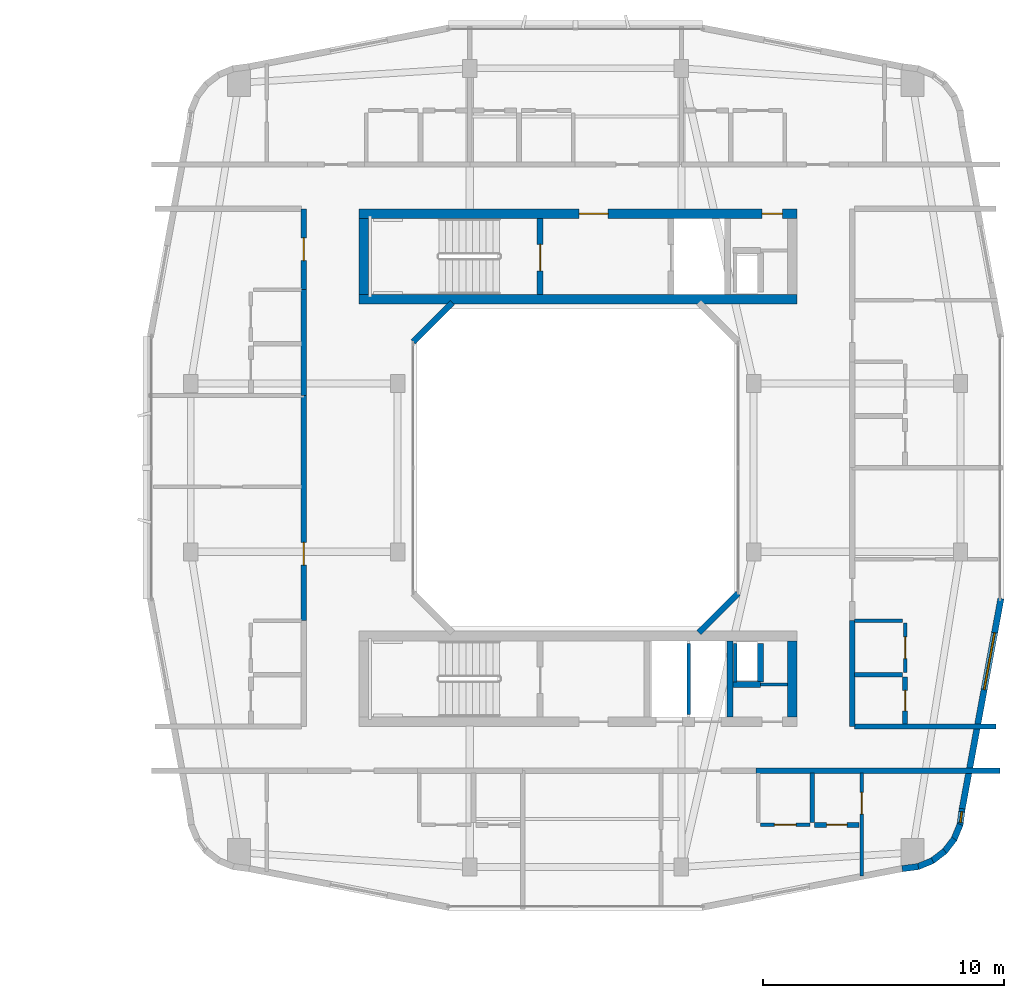
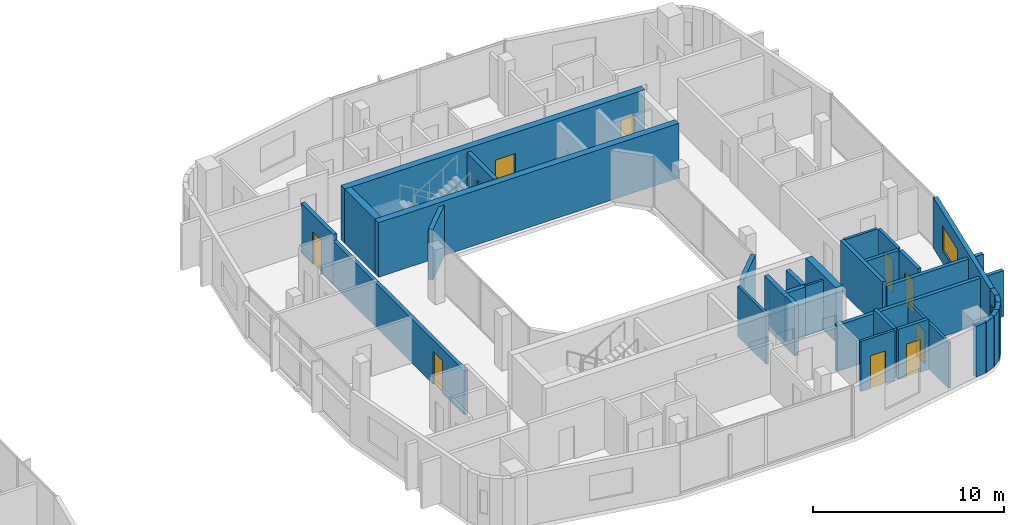
# One storey, part 18 of 26: 34 walls, 10 doors, 2 windows, 12 openings.
"""IFC4 building model written with IfcOpenShell, lengths in metres."""

from ifc_helpers import new_model, si_unit, derived_unit, direction, frame, frame_2d, origin, place, context, subcontext, project, spatial, rectangle, extrude, material, layer, layer_set, type_object, element, fill, save


model = new_model("IFC4")

# Units and contexts
model_context = context("Model", 3, precision=1e-05, world=origin(), true_north=direction((0.0, 1.0)))
body_context = subcontext(model_context, "Body", "Model", "MODEL_VIEW")
ifc_project = project(units=[si_unit("LENGTHUNIT", "METRE"), si_unit("AREAUNIT", "SQUARE_METRE"), si_unit("VOLUMEUNIT", "CUBIC_METRE"), si_unit("PLANEANGLEUNIT", "RADIAN"), si_unit("MASSUNIT", "GRAM", prefix="KILO"), derived_unit("THERMALTRANSMITTANCEUNIT", [(si_unit("POWERUNIT", "WATT"), 1), (si_unit("LENGTHUNIT", "METRE"), -2), (si_unit("THERMODYNAMICTEMPERATUREUNIT", "KELVIN"), -1)])], contexts=[model_context])

# Site, building, storey
site_placement = place(None, origin())
site = spatial("IfcSite", under=ifc_project, at=site_placement, CompositionType="ELEMENT")
building_placement = place(site_placement, origin())
building = spatial("IfcBuilding", under=site, at=building_placement, Name="Kivonza Crest Hotel", CompositionType="ELEMENT")
storey_placement = place(building_placement, frame((0.0, 0.0, 102.0)))
storey = spatial("IfcBuildingStorey", under=building, at=storey_placement, Name="L27", CompositionType="ELEMENT", Elevation=102.0)

# Wall
ifc_material_1 = material(Name="Autoclaved aerated concrete blockwork", Category="masonry")
ifc_layer_1 = layer(ifc_material_1, 0.219970703125)
ifc_layer_set_1 = layer_set([ifc_layer_1], Name="Autoclaved aerated concrete blockwork")
wall_type_1 = type_object("IfcWallType", Name="WL-ACOU-220", PredefinedType="SOLIDWALL", material=ifc_layer_set_1)
wall_1_placement = place(storey_placement, frame((84.510009765625, 12.39990234375, 0.0), z_axis=(0.0, 0.0, 1.0), x_axis=(1.0, 0.0, 0.0)))
element("IfcWall", 1, at=wall_1_placement, inside=storey, type_object=wall_type_1, Name="L27 interior partition WA-L27-A05-RCORR", PredefinedType="SOLIDWALL", context=body_context, shape_type="SweptSolid", body=[
    extrude(rectangle(XDim=10.1298828125, YDim=0.219970703125, at=frame_2d((5.06494140625, 0.0))), origin(), (0.0, 0.0, 1.0), 2.945068359375),
])

# Wall, opening, door
wall_2_placement = place(storey_placement, frame((65.699951171875, 18.639892578125, 0.0), z_axis=(0.0, 0.0, 1.0), x_axis=(0.0, 1.0, 0.0)))
wall_2 = element("IfcWall", 2, at=wall_2_placement, inside=storey, type_object=wall_type_1, Name="L27 interior partition WA-L27-A06-MCORR", PredefinedType="SOLIDWALL", context=body_context, shape_type="SweptSolid", body=[
    extrude(rectangle(XDim=9.360107421875, YDim=0.219970703125, at=frame_2d((4.68017578125, 0.0))), origin(), (0.0, 0.0, 1.0), 2.824951171875),
])
opening_1_placement = place(wall_2_placement, frame((2.304931640625, 0.0, 0.0)))
opening_1 = element("IfcOpeningElement", 3, at=opening_1_placement, cuts=wall_2, Name="Opening DU-60", PredefinedType="OPENING", context=body_context, shape_type="SweptSolid", body=[
    extrude(rectangle(XDim=0.949951171875, YDim=2.10009765625, at=frame_2d((0.47509765625, 1.050048828125))), frame((0.0, 0.1201171875, 0.0), z_axis=(0.0, -1.0, 0.0), x_axis=(1.0, 0.0, 0.0)), (0.0, 0.0, 1.0), 0.239990234375),
])
ifc_material_2 = material(Name="Hardwood timber oak", Category="wood")
door_type_1 = type_object("IfcDoorType", Name="DR-UNIT-950", OperationType="NOTDEFINED", PredefinedType="DOOR", material=ifc_material_2)
door_1_placement = place(opening_1_placement, origin())
door_1 = element("IfcDoor", 4, at=door_1_placement, inside=storey, type_object=door_type_1, Name="L27 A06 apartment entrance fire door", OperationType="SINGLE_SWING_RIGHT", OverallHeight=2.10009765625, OverallWidth=0.949951171875, PredefinedType="DOOR", context=body_context, shape_type="SweptSolid", body=[
    extrude(rectangle(XDim=0.949951171875, YDim=2.10009765625, at=frame_2d((0.47509765625, 1.050048828125))), frame((0.0, 0.02490234375, 0.0), z_axis=(0.0, -1.0, 0.0), x_axis=(1.0, 0.0, 0.0)), (0.0, 0.0, 1.0), 0.050048828125),
])
fill(opening_1, door_1)

# Wall
wall_3_placement = place(storey_placement, frame((65.699951171875, 28.0, 0.0), z_axis=(0.0, 0.0, 1.0), x_axis=(0.0, 1.0, 0.0)))
element("IfcWall", 5, at=wall_3_placement, inside=storey, type_object=wall_type_1, Name="L27 interior partition WA-L27-A07-BCORR", PredefinedType="SOLIDWALL", context=body_context, shape_type="SweptSolid", body=[
    extrude(rectangle(XDim=4.39990234375, YDim=0.219970703125, at=frame_2d((2.199951171875, 0.0))), origin(), (0.0, 0.0, 1.0), 2.824951171875),
])

# Wall, opening, door
wall_4_placement = place(storey_placement, frame((65.699951171875, 32.39990234375, 0.0), z_axis=(0.0, 0.0, 1.0), x_axis=(0.0, 1.0, 0.0)))
wall_4 = element("IfcWall", 6, at=wall_4_placement, inside=storey, type_object=wall_type_1, Name="L27 interior partition WA-L27-A07-MCORR", PredefinedType="SOLIDWALL", context=body_context, shape_type="SweptSolid", body=[
    extrude(rectangle(XDim=3.360107421875, YDim=0.219970703125, at=frame_2d((1.68017578125, 0.0))), origin(), (0.0, 0.0, 1.0), 3.219970703125),
])
opening_2_placement = place(wall_4_placement, frame((1.205078125, 0.0, 0.0)))
opening_2 = element("IfcOpeningElement", 7, at=opening_2_placement, cuts=wall_4, Name="Opening DU-60", PredefinedType="OPENING", context=body_context, shape_type="SweptSolid", body=[
    extrude(rectangle(XDim=0.949951171875, YDim=2.10009765625, at=frame_2d((0.47509765625, 1.050048828125))), frame((0.0, 0.1201171875, 0.0), z_axis=(0.0, -1.0, 0.0), x_axis=(1.0, 0.0, 0.0)), (0.0, 0.0, 1.0), 0.239990234375),
])
door_2_placement = place(opening_2_placement, origin())
door_2 = element("IfcDoor", 8, at=door_2_placement, inside=storey, type_object=door_type_1, Name="L27 A07 apartment entrance fire door", OperationType="SINGLE_SWING_LEFT", OverallHeight=2.10009765625, OverallWidth=0.949951171875, PredefinedType="DOOR", context=body_context, shape_type="SweptSolid", body=[
    extrude(rectangle(XDim=0.949951171875, YDim=2.10009765625, at=frame_2d((0.47509765625, 1.050048828125))), frame((0.0, 0.02490234375, 0.0), z_axis=(0.0, -1.0, 0.0), x_axis=(1.0, 0.0, 0.0)), (0.0, 0.0, 1.0), 0.050048828125),
])
fill(opening_2, door_2)

# Walls
wall_5_placement = place(storey_placement, frame((88.60009765625, 14.239990234375, 0.0), z_axis=(0.0, 0.0, 1.0), x_axis=(1.0, 0.0, 0.0)))
element("IfcWall", 9, at=wall_5_placement, inside=storey, type_object=wall_type_1, Name="L27 interior partition WA-L27-T2E-ENDS", PredefinedType="SOLIDWALL", context=body_context, shape_type="SweptSolid", body=[
    extrude(rectangle(XDim=5.8798828125, YDim=0.219970703125, at=frame_2d((2.93994140625, 0.0))), origin(), (0.0, 0.0, 1.0), 2.945068359375),
])
wall_6_placement = place(storey_placement, frame((88.5, 14.239990234375, 0.0), z_axis=(0.0, 0.0, 1.0), x_axis=(0.0, 1.0, 0.0)))
element("IfcWall", 10, at=wall_6_placement, inside=storey, type_object=wall_type_1, Name="L27 interior partition WA-L27-A08-BCORR", PredefinedType="SOLIDWALL", context=body_context, shape_type="SweptSolid", body=[
    extrude(rectangle(XDim=4.39990234375, YDim=0.219970703125, at=frame_2d((2.199951171875, 0.0))), origin(), (0.0, 0.0, 1.0), 3.219970703125),
])
ifc_material_3 = material(Name="Concrete C50/60", Category="concrete")
ifc_layer_2 = layer(ifc_material_3, 0.39990234375)
ifc_layer_set_2 = layer_set([ifc_layer_2], Name="Concrete C50/60")
wall_type_2 = type_object("IfcWallType", Name="WL-CORE-400", PredefinedType="SHEAR", material=ifc_layer_set_2)
wall_7_placement = place(storey_placement, frame((68.0, 32.0, 0.0), z_axis=(0.0, 0.0, 1.0), x_axis=(1.0, 0.0, 0.0)))
element("IfcWall", 11, at=wall_7_placement, inside=storey, type_object=wall_type_2, Name="Core wall T2-N South L27", PredefinedType="SHEAR", context=body_context, shape_type="SweptSolid", body=[
    extrude(rectangle(XDim=18.199951171875, YDim=0.39990234375, at=frame_2d((9.10009765625, 0.0))), origin(), (0.0, 0.0, 1.0), 3.5),
])

# Wall, openings, doors
wall_8_placement = place(storey_placement, frame((68.0, 35.56005859375, 0.0), z_axis=(0.0, 0.0, 1.0), x_axis=(1.0, 0.0, 0.0)))
wall_8 = element("IfcWall", 12, at=wall_8_placement, inside=storey, type_object=wall_type_2, Name="Core wall T2-N North L27", PredefinedType="SHEAR", context=body_context, shape_type="SweptSolid", body=[
    extrude(rectangle(XDim=18.199951171875, YDim=0.39990234375, at=frame_2d((9.10009765625, 0.0))), origin(), (0.0, 0.0, 1.0), 3.5),
])
opening_3_placement = place(wall_8_placement, frame((9.14990234375, 0.0, 0.0)))
opening_3 = element("IfcOpeningElement", 13, at=opening_3_placement, cuts=wall_8, Name="Opening DF-60", PredefinedType="OPENING", context=body_context, shape_type="SweptSolid", body=[
    extrude(rectangle(XDim=1.199951171875, YDim=2.14990234375, at=frame_2d((0.60009765625, 1.074951171875))), frame((0.0, 0.2099609375, 0.0), z_axis=(0.0, -1.0, 0.0), x_axis=(1.0, 0.0, 0.0)), (0.0, 0.0, 1.0), 0.419921875),
])
opening_4_placement = place(wall_8_placement, frame((16.75, 0.0, 0.0)))
opening_4 = element("IfcOpeningElement", 14, at=opening_4_placement, cuts=wall_8, Name="Opening DF-60R", PredefinedType="OPENING", context=body_context, shape_type="SweptSolid", body=[
    extrude(rectangle(XDim=0.85009765625, YDim=2.10009765625, at=frame_2d((0.425048828125, 1.050048828125))), frame((0.0, 0.2099609375, 0.0), z_axis=(0.0, -1.0, 0.0), x_axis=(1.0, 0.0, 0.0)), (0.0, 0.0, 1.0), 0.419921875),
])
door_type_2 = type_object("IfcDoorType", Name="DR-FD60-1200", OperationType="NOTDEFINED", PredefinedType="DOOR", material=ifc_material_2)
door_3_placement = place(opening_3_placement, origin())
door_3 = element("IfcDoor", 15, at=door_3_placement, inside=storey, type_object=door_type_2, Name="L27 T2-N firefighting lobby fire door", OperationType="SINGLE_SWING_RIGHT", OverallHeight=2.14990234375, OverallWidth=1.199951171875, PredefinedType="DOOR", context=body_context, shape_type="SweptSolid", body=[
    extrude(rectangle(XDim=1.199951171875, YDim=2.14990234375, at=frame_2d((0.60009765625, 1.074951171875))), frame((0.0, 0.02490234375, 0.0), z_axis=(0.0, -1.0, 0.0), x_axis=(1.0, 0.0, 0.0)), (0.0, 0.0, 1.0), 0.050048828125),
])
fill(opening_3, door_3)
door_type_3 = type_object("IfcDoorType", Name="DR-FD60-850", OperationType="NOTDEFINED", PredefinedType="DOOR", material=ifc_material_2)
door_4_placement = place(opening_4_placement, origin())
door_4 = element("IfcDoor", 16, at=door_4_placement, inside=storey, type_object=door_type_3, Name="L27 T2-N core room door", OperationType="SINGLE_SWING_RIGHT", OverallHeight=2.10009765625, OverallWidth=0.85009765625, PredefinedType="DOOR", context=body_context, shape_type="SweptSolid", body=[
    extrude(rectangle(XDim=0.85009765625, YDim=2.10009765625, at=frame_2d((0.425048828125, 1.050048828125))), frame((0.0, 0.02490234375, 0.0), z_axis=(0.0, -1.0, 0.0), x_axis=(1.0, 0.0, 0.0)), (0.0, 0.0, 1.0), 0.050048828125),
])
fill(opening_4, door_4)

# Walls
for number, where, z_axis, x_axis, name in (
    (17, (68.199951171875, 32.199951171875, 0.0), (0.0, 0.0, 1.0), (0.0, 1.0, 0.0), "Core wall T2-N West L27"),
    (18, (86.0, 14.639892578125, 0.0), (0.0, 0.0, 1.0), (0.0, 1.0, 0.0), "Core wall T2-S East L27"),
):
    element("IfcWall", number, at=place(storey_placement, frame(where, z_axis=z_axis, x_axis=x_axis)), inside=storey, type_object=wall_type_2, Name=name, PredefinedType="SHEAR", context=body_context, shape_type="SweptSolid", body=[
        extrude(rectangle(XDim=3.16015625, YDim=0.39990234375, at=frame_2d((1.580078125, 0.0))), origin(), (0.0, 0.0, 1.0), 3.5),
    ])
ifc_material_4 = material(Name="Precast concrete C40/50", Category="concrete")
ifc_layer_3 = layer(ifc_material_4, 0.260009765625)
ifc_layer_set_3 = layer_set([ifc_layer_3], Name="Precast concrete C40/50")
wall_type_3 = type_object("IfcWallType", Name="WL-EXT-260", PredefinedType="STANDARD", material=ifc_layer_set_3)
wall_9_placement = place(storey_placement, frame((90.574951171875, 8.327880859375, 0.0), z_axis=(0.0, 0.0, 1.0), x_axis=(0.991300187529, 0.13162043232, 0.0)))
element("IfcWall", 19, at=wall_9_placement, inside=storey, type_object=wall_type_3, Name="L27 T2 exterior insulated wall 10", PredefinedType="STANDARD", context=body_context, shape_type="SweptSolid", body=[
    extrude(rectangle(XDim=0.677001953125, YDim=0.260009765625, at=frame_2d((0.33837890625, 0.0))), origin(), (0.0, 0.0, 1.0), 3.25),
])
for number, where, z_axis, x_axis, name in (
    (20, (91.199951171875, 8.39892578125, 0.0), (0.0, 0.0, 1.0), (0.924093981904, 0.382165294877, 0.0), "L27 T2 exterior insulated wall 11"),
    (21, (91.801025390625, 8.635986328125, 0.0), (0.0, 0.0, 1.0), (0.792637067512, 0.609693758543, 0.0), "L27 T2 exterior insulated wall 12"),
    (22, (92.320068359375, 9.02099609375, 0.0), (0.0, 0.0, 1.0), (0.609472651958, 0.792807092876, 0.0), "L27 T2 exterior insulated wall 13"),
):
    element("IfcWall", number, at=place(storey_placement, frame(where, z_axis=z_axis, x_axis=x_axis)), inside=storey, type_object=wall_type_3, Name=name, PredefinedType="STANDARD", context=body_context, shape_type="SweptSolid", body=[
        extrude(rectangle(XDim=0.69384765625, YDim=0.260009765625, at=frame_2d((0.346923828125, 0.0))), origin(), (0.0, 0.0, 1.0), 3.25),
    ])
wall_10_placement = place(storey_placement, frame((92.721923828125, 9.527099609375, 0.0), z_axis=(0.0, 0.0, 1.0), x_axis=(0.382289608286, 0.924042561464, 0.0)))
element("IfcWall", 23, at=wall_10_placement, inside=storey, type_object=wall_type_3, Name="L27 T2 exterior insulated wall 14", PredefinedType="STANDARD", context=body_context, shape_type="SweptSolid", body=[
    extrude(rectangle(XDim=0.693603515625, YDim=0.260009765625, at=frame_2d((0.3466796875, 0.0))), origin(), (0.0, 0.0, 1.0), 3.25),
])

# Wall, opening, window
wall_11_placement = place(storey_placement, frame((92.97900390625, 10.118896484375, 0.0), z_axis=(0.0, 0.0, 1.0), x_axis=(0.130614135366, 0.991433279471, 0.0)))
wall_11 = element("IfcWall", 24, at=wall_11_placement, inside=storey, type_object=wall_type_3, Name="L27 T2 exterior insulated wall 15", PredefinedType="STANDARD", context=body_context, shape_type="SweptSolid", body=[
    extrude(rectangle(XDim=0.712158203125, YDim=0.260009765625, at=frame_2d((0.35595703125, 0.0))), origin(), (0.0, 0.0, 1.0), 3.25),
])
opening_5_placement = place(wall_11_placement, frame((0.131103515625, 0.0, 0.85009765625)))
opening_5 = element("IfcOpeningElement", 25, at=opening_5_placement, cuts=wall_11, Name="Opening WN-11", PredefinedType="OPENING", context=body_context, shape_type="SweptSolid", body=[
    extrude(rectangle(XDim=0.449951171875, YDim=1.5, at=frame_2d((0.22509765625, 0.75))), frame((0.0, 0.14013671875, 0.0), z_axis=(0.0, -1.0, 0.0), x_axis=(1.0, 0.0, 0.0)), (0.0, 0.0, 1.0), 0.280029296875),
])
ifc_material_5 = material(Name="Thermally broken bronze aluminium and low-E double glazing", Category="aluminium")
window_type_1 = type_object("IfcWindowType", Name="WN-045x150", PartitioningType="SINGLE_PANEL", PredefinedType="WINDOW", material=ifc_material_5)
window_1_placement = place(opening_5_placement, origin())
window_1 = element("IfcWindow", 26, at=window_1_placement, inside=storey, type_object=window_type_1, Name="L27 corner vision window 6", OverallHeight=1.5, OverallWidth=0.449951171875, PartitioningType="SINGLE_PANEL", PredefinedType="WINDOW", context=body_context, shape_type="SweptSolid", body=[
    extrude(rectangle(XDim=0.449951171875, YDim=1.5, at=frame_2d((0.22509765625, 0.75))), frame((0.0, 0.030029296875, 0.0), z_axis=(0.0, -1.0, 0.0), x_axis=(1.0, 0.0, 0.0)), (0.0, 0.0, 1.0), 0.06005859375),
])
fill(opening_5, window_1)

wall_12_placement = place(storey_placement, frame((93.071044921875, 10.81591796875, 0.0), z_axis=(0.0, 0.0, 1.0), x_axis=(0.181209963057, 0.983444431215, 0.0)))
wall_12 = element("IfcWall", 27, at=wall_12_placement, inside=storey, type_object=wall_type_3, Name="L27 T2 exterior insulated wall 16", PredefinedType="STANDARD", context=body_context, shape_type="SweptSolid", body=[
    extrude(rectangle(XDim=8.889404296875, YDim=0.260009765625, at=frame_2d((4.44482421875, 0.0))), origin(), (0.0, 0.0, 1.0), 3.25),
])
opening_6_placement = place(wall_12_placement, frame((5.044921875, 0.0, 0.800048828125)))
opening_6 = element("IfcOpeningElement", 28, at=opening_6_placement, cuts=wall_12, Name="Opening WN-05", PredefinedType="OPENING", context=body_context, shape_type="SweptSolid", body=[
    extrude(rectangle(XDim=2.39990234375, YDim=1.60009765625, at=frame_2d((1.199951171875, 0.800048828125))), frame((0.0, 0.14013671875, 0.0), z_axis=(0.0, -1.0, 0.0), x_axis=(1.0, 0.0, 0.0)), (0.0, 0.0, 1.0), 0.280029296875),
])
window_type_2 = type_object("IfcWindowType", Name="WN-240x160", PartitioningType="TRIPLE_PANEL_VERTICAL", PredefinedType="WINDOW", material=ifc_material_5)
window_2_placement = place(opening_6_placement, origin())
window_2 = element("IfcWindow", 29, at=window_2_placement, inside=storey, type_object=window_type_2, Name="L27 T2 facade window 16", OverallHeight=1.60009765625, OverallWidth=2.39990234375, PartitioningType="SINGLE_PANEL", PredefinedType="WINDOW", context=body_context, shape_type="SweptSolid", body=[
    extrude(rectangle(XDim=2.39990234375, YDim=1.60009765625, at=frame_2d((1.199951171875, 0.800048828125))), frame((0.0, 0.030029296875, 0.0), z_axis=(0.0, -1.0, 0.0), x_axis=(1.0, 0.0, 0.0)), (0.0, 0.0, 1.0), 0.06005859375),
])
fill(opening_6, window_2)

# Walls
for number, where, z_axis, x_axis, name in (
    (30, (82.1220703125, 18.137939453125, 0.0), (0.0, 0.0, 1.0), (0.707106781187, 0.707106781187, 0.0), "L27 T2 light-well exterior wall 2"),
    (31, (71.8779296875, 31.862060546875, 0.0), (0.0, 0.0, 1.0), (-0.707106781187, -0.707106781187, 0.0), "L27 T2 light-well exterior wall 6"),
):
    element("IfcWall", number, at=place(storey_placement, frame(where, z_axis=z_axis, x_axis=x_axis)), inside=storey, type_object=wall_type_3, Name=name, PredefinedType="STANDARD", context=body_context, shape_type="SweptSolid", body=[
        extrude(rectangle(XDim=2.310791015625, YDim=0.260009765625, at=frame_2d((1.1552734375, 0.0))), origin(), (0.0, 0.0, 1.0), 3.25),
    ])
ifc_material_6 = material(Name="Concrete blockwork fire-compartment wall", Category="masonry")
ifc_layer_4 = layer(ifc_material_6, 0.25)
ifc_layer_set_4 = layer_set([ifc_layer_4], Name="Concrete blockwork fire-compartment wall")
wall_type_4 = type_object("IfcWallType", Name="WL-FIRE-250", PredefinedType="SOLIDWALL", material=ifc_layer_set_4)
wall_13_placement = place(storey_placement, frame((84.679931640625, 16.080078125, 0.0), z_axis=(0.0, 0.0, 1.0), x_axis=(0.0, 1.0, 0.0)))
element("IfcWall", 32, at=wall_13_placement, inside=storey, type_object=wall_type_4, Name="L27 interior partition WA-L27-T2-S-MEPR-E", PredefinedType="SOLIDWALL", context=body_context, shape_type="SweptSolid", body=[
    extrude(rectangle(XDim=1.619873046875, YDim=0.25, at=frame_2d((0.81005859375, 0.0))), origin(), (0.0, 0.0, 1.0), 3.219970703125),
])
wall_14_placement = place(storey_placement, frame((83.550048828125, 15.97998046875, 0.0), z_axis=(0.0, 0.0, 1.0), x_axis=(1.0, 0.0, 0.0)))
element("IfcWall", 33, at=wall_14_placement, inside=storey, type_object=wall_type_4, Name="L27 interior partition WA-L27-T2-S-MEPR-H", PredefinedType="SOLIDWALL", context=body_context, shape_type="SweptSolid", body=[
    extrude(rectangle(XDim=1.1298828125, YDim=0.25, at=frame_2d((0.56494140625, 0.0))), origin(), (0.0, 0.0, 1.0), 3.219970703125),
])
ifc_material_7 = material(Name="Metal-stud gypsum board partition", Category="gypsum")
ifc_layer_5 = layer(ifc_material_7, 0.125)
ifc_layer_set_5 = layer_set([ifc_layer_5], Name="Metal-stud gypsum board partition")
wall_type_5 = type_object("IfcWallType", Name="WL-PART-125", PredefinedType="PARTITIONING", material=ifc_layer_set_5)
wall_15_placement = place(storey_placement, frame((84.679931640625, 15.97998046875, 0.0), z_axis=(0.0, 0.0, 1.0), x_axis=(1.0, 0.0, 0.0)))
element("IfcWall", 34, at=wall_15_placement, inside=storey, type_object=wall_type_5, Name="L27 interior partition WP-L27-T2-S-T2H", PredefinedType="PARTITIONING", context=body_context, shape_type="SweptSolid", body=[
    extrude(rectangle(XDim=1.1201171875, YDim=0.125, at=frame_2d((0.56005859375, 0.0))), origin(), (0.0, 0.0, 1.0), 3.219970703125),
])
ifc_material_8 = material(Name="Twin-stud acoustic gypsum board partition", Category="gypsum")
ifc_layer_6 = layer(ifc_material_8, 0.14990234375)
ifc_layer_set_6 = layer_set([ifc_layer_6], Name="Twin-stud acoustic gypsum board partition")
wall_type_6 = type_object("IfcWallType", Name="WL-PART-150", PredefinedType="PARTITIONING", material=ifc_layer_set_6)
wall_16_placement = place(storey_placement, frame((83.6298828125, 16.080078125, 0.0), z_axis=(0.0, 0.0, 1.0), x_axis=(0.0, 1.0, 0.0)))
element("IfcWall", 35, at=wall_16_placement, inside=storey, type_object=wall_type_6, Name="L27 interior partition WA-L27-T2-S-MEPR-W", PredefinedType="PARTITIONING", context=body_context, shape_type="SweptSolid", body=[
    extrude(rectangle(XDim=1.619873046875, YDim=0.14990234375, at=frame_2d((0.81005859375, 0.0))), origin(), (0.0, 0.0, 1.0), 2.824951171875),
])
wall_17_placement = place(storey_placement, frame((81.699951171875, 14.739990234375, 0.0), z_axis=(0.0, 0.0, 1.0), x_axis=(0.0, 1.0, 0.0)))
element("IfcWall", 36, at=wall_17_placement, inside=storey, type_object=wall_type_6, Name="L27 interior partition WP-L27-T2-S-BSH-1", PredefinedType="PARTITIONING", context=body_context, shape_type="SweptSolid", body=[
    extrude(rectangle(XDim=2.9599609375, YDim=0.14990234375, at=frame_2d((1.47998046875, 0.0))), origin(), (0.0, 0.0, 1.0), 3.219970703125),
])

# Wall, opening, door
wall_18_placement = place(storey_placement, frame((88.889892578125, 8.030029296875, 0.0), z_axis=(0.0, 0.0, 1.0), x_axis=(0.0, 1.0, 0.0)))
wall_18 = element("IfcWall", 37, at=wall_18_placement, inside=storey, type_object=wall_type_6, Name="L27 interior partition WP-L27-A05-BDW2", PredefinedType="PARTITIONING", context=body_context, shape_type="SweptSolid", body=[
    extrude(rectangle(XDim=4.27001953125, YDim=0.14990234375, at=frame_2d((2.135009765625, 0.0))), origin(), (0.0, 0.0, 1.0), 2.945068359375),
])
opening_7_placement = place(wall_18_placement, frame((2.570068359375, 0.0, 0.0)))
opening_7 = element("IfcOpeningElement", 38, at=opening_7_placement, cuts=wall_18, Name="Opening DI-90", PredefinedType="OPENING", context=body_context, shape_type="SweptSolid", body=[
    extrude(rectangle(XDim=0.89990234375, YDim=2.10009765625, at=frame_2d((0.449951171875, 1.050048828125))), frame((0.0, 0.0849609375, 0.0), z_axis=(0.0, -1.0, 0.0), x_axis=(1.0, 0.0, 0.0)), (0.0, 0.0, 1.0), 0.169921875),
])
door_type_4 = type_object("IfcDoorType", Name="DR-INT-900", OperationType="NOTDEFINED", PredefinedType="DOOR", material=ifc_material_2)
door_5_placement = place(opening_7_placement, origin())
door_5 = element("IfcDoor", 39, at=door_5_placement, inside=storey, type_object=door_type_4, Name="L27 A05 bedroom 2 door", OperationType="SINGLE_SWING_LEFT", OverallHeight=2.10009765625, OverallWidth=0.89990234375, PredefinedType="DOOR", context=body_context, shape_type="SweptSolid", body=[
    extrude(rectangle(XDim=0.89990234375, YDim=2.10009765625, at=frame_2d((0.449951171875, 1.050048828125))), frame((0.0, 0.02490234375, 0.0), z_axis=(0.0, -1.0, 0.0), x_axis=(1.0, 0.0, 0.0)), (0.0, 0.0, 1.0), 0.050048828125),
])
fill(opening_7, door_5)

wall_19_placement = place(storey_placement, frame((84.68994140625, 10.14990234375, 0.0), z_axis=(0.0, 0.0, 1.0), x_axis=(1.0, 0.0, 0.0)))
wall_19 = element("IfcWall", 40, at=wall_19_placement, inside=storey, type_object=wall_type_6, Name="L27 interior partition WP-L27-A05-KSVC", PredefinedType="PARTITIONING", context=body_context, shape_type="SweptSolid", body=[
    extrude(rectangle(XDim=2.050048828125, YDim=0.14990234375, at=frame_2d((1.02490234375, 0.0))), origin(), (0.0, 0.0, 1.0), 3.219970703125),
])
opening_8_placement = place(wall_19_placement, frame((0.574951171875, 0.0, 0.0)))
opening_8 = element("IfcOpeningElement", 41, at=opening_8_placement, cuts=wall_19, Name="Opening DI-90", PredefinedType="OPENING", context=body_context, shape_type="SweptSolid", body=[
    extrude(rectangle(XDim=0.89990234375, YDim=2.10009765625, at=frame_2d((0.449951171875, 1.050048828125))), frame((0.0, 0.0849609375, 0.0), z_axis=(0.0, -1.0, 0.0), x_axis=(1.0, 0.0, 0.0)), (0.0, 0.0, 1.0), 0.169921875),
])
door_6_placement = place(opening_8_placement, frame((0.89990234375, 0.0, 0.0), z_axis=(0.0, 0.0, 1.0), x_axis=(-1.0, 0.0, 0.0)))
door_6 = element("IfcDoor", 42, at=door_6_placement, inside=storey, type_object=door_type_4, Name="L27 A05 apartment kitchen door", OperationType="SINGLE_SWING_LEFT", OverallHeight=2.10009765625, OverallWidth=0.89990234375, PredefinedType="DOOR", context=body_context, shape_type="SweptSolid", body=[
    extrude(rectangle(XDim=0.89990234375, YDim=2.10009765625, at=frame_2d((0.449951171875, 1.050048828125))), frame((0.0, 0.02490234375, 0.0), z_axis=(0.0, -1.0, 0.0), x_axis=(1.0, 0.0, 0.0)), (0.0, 0.0, 1.0), 0.050048828125),
])
fill(opening_8, door_6)

# Wall
wall_20_placement = place(storey_placement, frame((88.60009765625, 18.639892578125, 0.0), z_axis=(0.0, 0.0, 1.0), x_axis=(1.0, 0.0, 0.0)))
element("IfcWall", 43, at=wall_20_placement, inside=storey, type_object=wall_type_6, Name="L27 interior partition WP-L27-A08-KF", PredefinedType="PARTITIONING", context=body_context, shape_type="SweptSolid", body=[
    extrude(rectangle(XDim=2.0, YDim=0.14990234375, at=frame_2d((1.0, 0.0))), origin(), (0.0, 0.0, 1.0), 3.219970703125),
])

# Wall, opening, door
wall_21_placement = place(storey_placement, frame((90.699951171875, 16.489990234375, 0.0), z_axis=(0.0, 0.0, 1.0), x_axis=(0.0, 1.0, 0.0)))
wall_21 = element("IfcWall", 44, at=wall_21_placement, inside=storey, type_object=wall_type_6, Name="L27 interior partition WP-L27-A08-KSVC", PredefinedType="PARTITIONING", context=body_context, shape_type="SweptSolid", body=[
    extrude(rectangle(XDim=2.050048828125, YDim=0.14990234375, at=frame_2d((1.02490234375, 0.0))), origin(), (0.0, 0.0, 1.0), 3.219970703125),
])
opening_9_placement = place(wall_21_placement, frame((0.574951171875, 0.0, 0.0)))
opening_9 = element("IfcOpeningElement", 45, at=opening_9_placement, cuts=wall_21, Name="Opening DI-90", PredefinedType="OPENING", context=body_context, shape_type="SweptSolid", body=[
    extrude(rectangle(XDim=0.89990234375, YDim=2.10009765625, at=frame_2d((0.449951171875, 1.050048828125))), frame((0.0, 0.0849609375, 0.0), z_axis=(0.0, -1.0, 0.0), x_axis=(1.0, 0.0, 0.0)), (0.0, 0.0, 1.0), 0.169921875),
])
door_7_placement = place(opening_9_placement, frame((0.89990234375, 0.0, 0.0), z_axis=(0.0, 0.0, 1.0), x_axis=(-1.0, 0.0, 0.0)))
door_7 = element("IfcDoor", 46, at=door_7_placement, inside=storey, type_object=door_type_4, Name="L27 A08 apartment kitchen door", OperationType="SINGLE_SWING_RIGHT", OverallHeight=2.10009765625, OverallWidth=0.89990234375, PredefinedType="DOOR", context=body_context, shape_type="SweptSolid", body=[
    extrude(rectangle(XDim=0.89990234375, YDim=2.10009765625, at=frame_2d((0.449951171875, 1.050048828125))), frame((0.0, 0.02490234375, 0.0), z_axis=(0.0, -1.0, 0.0), x_axis=(1.0, 0.0, 0.0)), (0.0, 0.0, 1.0), 0.050048828125),
])
fill(opening_9, door_7)

# Wall
ifc_material_9 = material(Name="Moisture-resistant plumbing chase partition wall", Category="gypsum")
ifc_layer_7 = layer(ifc_material_9, 0.199951171875)
ifc_layer_set_7 = layer_set([ifc_layer_7], Name="Moisture-resistant plumbing chase partition wall")
wall_type_7 = type_object("IfcWallType", Name="WL-PLUMB-200", PredefinedType="PLUMBINGWALL", material=ifc_layer_set_7)
wall_22_placement = place(storey_placement, frame((86.840087890625, 10.25, 0.0), z_axis=(0.0, 0.0, 1.0), x_axis=(0.0, 1.0, 0.0)))
element("IfcWall", 47, at=wall_22_placement, inside=storey, type_object=wall_type_7, Name="L27 interior partition WW-L27-A05-BK", PredefinedType="PLUMBINGWALL", context=body_context, shape_type="SweptSolid", body=[
    extrude(rectangle(XDim=2.050048828125, YDim=0.199951171875, at=frame_2d((1.02490234375, 0.0))), origin(), (0.0, 0.0, 1.0), 3.219970703125),
])

# Wall, opening, door
wall_23_placement = place(storey_placement, frame((86.93994140625, 10.14990234375, 0.0), z_axis=(0.0, 0.0, 1.0), x_axis=(1.0, 0.0, 0.0)))
wall_23 = element("IfcWall", 48, at=wall_23_placement, inside=storey, type_object=wall_type_7, Name="L27 interior partition WW-L27-A05-BSVC", PredefinedType="PLUMBINGWALL", context=body_context, shape_type="SweptSolid", body=[
    extrude(rectangle(XDim=1.85009765625, YDim=0.199951171875, at=frame_2d((0.925048828125, 0.0))), origin(), (0.0, 0.0, 1.0), 3.219970703125),
])
opening_10_placement = place(wall_23_placement, frame((0.5, 0.0, 0.0)))
opening_10 = element("IfcOpeningElement", 49, at=opening_10_placement, cuts=wall_23, Name="Opening DI-85", PredefinedType="OPENING", context=body_context, shape_type="SweptSolid", body=[
    extrude(rectangle(XDim=0.85009765625, YDim=2.10009765625, at=frame_2d((0.425048828125, 1.050048828125))), frame((0.0, 0.10986328125, 0.0), z_axis=(0.0, -1.0, 0.0), x_axis=(1.0, 0.0, 0.0)), (0.0, 0.0, 1.0), 0.219970703125),
])
door_type_5 = type_object("IfcDoorType", Name="DR-INT-850", OperationType="NOTDEFINED", PredefinedType="DOOR", material=ifc_material_2)
door_8_placement = place(opening_10_placement, frame((0.85009765625, 0.0, 0.0), z_axis=(0.0, 0.0, 1.0), x_axis=(-1.0, 0.0, 0.0)))
door_8 = element("IfcDoor", 50, at=door_8_placement, inside=storey, type_object=door_type_5, Name="L27 A05 apartment bathroom door", OperationType="SINGLE_SWING_RIGHT", OverallHeight=2.10009765625, OverallWidth=0.85009765625, PredefinedType="DOOR", context=body_context, shape_type="SweptSolid", body=[
    extrude(rectangle(XDim=0.85009765625, YDim=2.10009765625, at=frame_2d((0.425048828125, 1.050048828125))), frame((0.0, 0.02490234375, 0.0), z_axis=(0.0, -1.0, 0.0), x_axis=(1.0, 0.0, 0.0)), (0.0, 0.0, 1.0), 0.050048828125),
])
fill(opening_10, door_8)

# Wall
wall_24_placement = place(storey_placement, frame((88.60009765625, 16.389892578125, 0.0), z_axis=(0.0, 0.0, 1.0), x_axis=(1.0, 0.0, 0.0)))
element("IfcWall", 51, at=wall_24_placement, inside=storey, type_object=wall_type_7, Name="L27 interior partition WW-L27-A08-BK", PredefinedType="PLUMBINGWALL", context=body_context, shape_type="SweptSolid", body=[
    extrude(rectangle(XDim=2.0, YDim=0.199951171875, at=frame_2d((1.0, 0.0))), origin(), (0.0, 0.0, 1.0), 3.219970703125),
])

# Wall, opening, door
wall_25_placement = place(storey_placement, frame((90.699951171875, 14.340087890625, 0.0), z_axis=(0.0, 0.0, 1.0), x_axis=(0.0, 1.0, 0.0)))
wall_25 = element("IfcWall", 52, at=wall_25_placement, inside=storey, type_object=wall_type_7, Name="L27 interior partition WW-L27-A08-BSVC", PredefinedType="PLUMBINGWALL", context=body_context, shape_type="SweptSolid", body=[
    extrude(rectangle(XDim=1.949951171875, YDim=0.199951171875, at=frame_2d((0.97509765625, 0.0))), origin(), (0.0, 0.0, 1.0), 3.219970703125),
])
opening_11_placement = place(wall_25_placement, frame((0.550048828125, 0.0, 0.0)))
opening_11 = element("IfcOpeningElement", 53, at=opening_11_placement, cuts=wall_25, Name="Opening DI-85", PredefinedType="OPENING", context=body_context, shape_type="SweptSolid", body=[
    extrude(rectangle(XDim=0.85009765625, YDim=2.10009765625, at=frame_2d((0.425048828125, 1.050048828125))), frame((0.0, 0.10986328125, 0.0), z_axis=(0.0, -1.0, 0.0), x_axis=(1.0, 0.0, 0.0)), (0.0, 0.0, 1.0), 0.219970703125),
])
door_9_placement = place(opening_11_placement, frame((0.85009765625, 0.0, 0.0), z_axis=(0.0, 0.0, 1.0), x_axis=(-1.0, 0.0, 0.0)))
door_9 = element("IfcDoor", 54, at=door_9_placement, inside=storey, type_object=door_type_5, Name="L27 A08 apartment bathroom door", OperationType="SINGLE_SWING_LEFT", OverallHeight=2.10009765625, OverallWidth=0.85009765625, PredefinedType="DOOR", context=body_context, shape_type="SweptSolid", body=[
    extrude(rectangle(XDim=0.85009765625, YDim=2.10009765625, at=frame_2d((0.425048828125, 1.050048828125))), frame((0.0, 0.02490234375, 0.0), z_axis=(0.0, -1.0, 0.0), x_axis=(1.0, 0.0, 0.0)), (0.0, 0.0, 1.0), 0.050048828125),
])
fill(opening_11, door_9)

ifc_layer_8 = layer(ifc_material_3, 0.25)
ifc_layer_set_8 = layer_set([ifc_layer_8], Name="Concrete C50/60")
wall_type_8 = type_object("IfcWallType", Name="WL-SHAFT-250", PredefinedType="STANDARD", material=ifc_layer_set_8)
wall_26_placement = place(storey_placement, frame((75.52490234375, 32.199951171875, 0.0), z_axis=(0.0, 0.0, 1.0), x_axis=(0.0, 1.0, 0.0)))
wall_26 = element("IfcWall", 55, at=wall_26_placement, inside=storey, type_object=wall_type_8, Name="Core shaft wall T2-N STAIR L27", PredefinedType="STANDARD", context=body_context, shape_type="SweptSolid", body=[
    extrude(rectangle(XDim=3.16015625, YDim=0.25, at=frame_2d((1.580078125, 0.0))), origin(), (0.0, 0.0, 1.0), 3.25),
])
opening_12_placement = place(wall_26_placement, frame((0.97998046875, 0.0, 0.0)))
opening_12 = element("IfcOpeningElement", 56, at=opening_12_placement, cuts=wall_26, Name="Opening DF-120", PredefinedType="OPENING", context=body_context, shape_type="SweptSolid", body=[
    extrude(rectangle(XDim=1.10009765625, YDim=2.14990234375, at=frame_2d((0.550048828125, 1.074951171875))), frame((0.0, 0.135009765625, 0.0), z_axis=(0.0, -1.0, 0.0), x_axis=(1.0, 0.0, 0.0)), (0.0, 0.0, 1.0), 0.27001953125),
])
ifc_material_10 = material(Name="Galvanised steel", Category="steel")
door_type_6 = type_object("IfcDoorType", Name="DR-FD120-1100", OperationType="NOTDEFINED", PredefinedType="DOOR", material=ifc_material_10)
door_10_placement = place(opening_12_placement, frame((1.10009765625, 0.0, 0.0), z_axis=(0.0, 0.0, 1.0), x_axis=(-1.0, 0.0, 0.0)))
door_10 = element("IfcDoor", 57, at=door_10_placement, inside=storey, type_object=door_type_6, Name="L27 T2-N stair fire door", OperationType="SINGLE_SWING_LEFT", OverallHeight=2.14990234375, OverallWidth=1.10009765625, PredefinedType="DOOR", context=body_context, shape_type="SweptSolid", body=[
    extrude(rectangle(XDim=1.10009765625, YDim=2.14990234375, at=frame_2d((0.550048828125, 1.074951171875))), frame((0.0, 0.02490234375, 0.0), z_axis=(0.0, -1.0, 0.0), x_axis=(1.0, 0.0, 0.0)), (0.0, 0.0, 1.0), 0.050048828125),
])
fill(opening_12, door_10)

# Wall
wall_27_placement = place(storey_placement, frame((83.425048828125, 14.639892578125, 0.0), z_axis=(0.0, 0.0, 1.0), x_axis=(0.0, 1.0, 0.0)))
element("IfcWall", 58, at=wall_27_placement, inside=storey, type_object=wall_type_8, Name="Core shaft wall T2-S BANK-E L27", PredefinedType="STANDARD", context=body_context, shape_type="SweptSolid", body=[
    extrude(rectangle(XDim=3.16015625, YDim=0.25, at=frame_2d((1.580078125, 0.0))), origin(), (0.0, 0.0, 1.0), 3.25),
])

save(model, "model.ifc")
